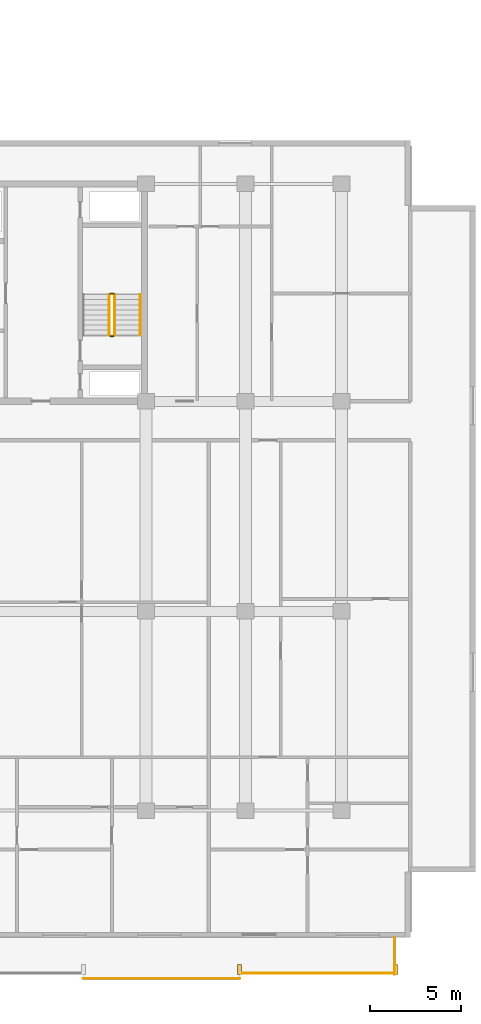
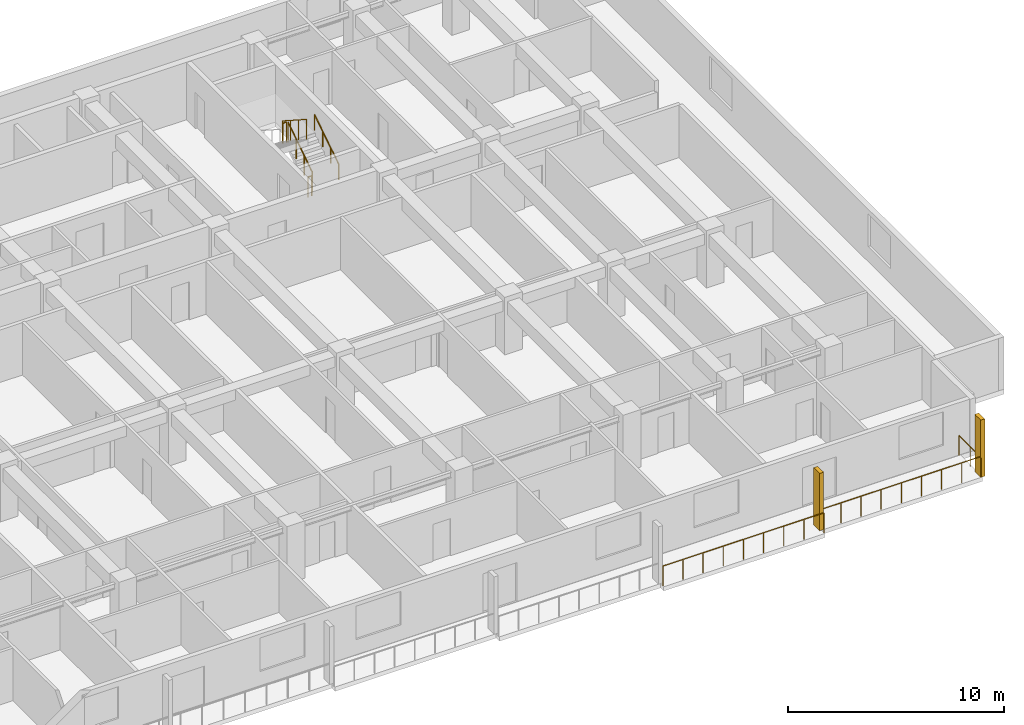
# One storey, part 21 of 23: 8 railings, 2 shading devices.
"""IFC4 building model written with IfcOpenShell, lengths in metres."""

from ifc_helpers import new_model, si_unit, direction, frame, origin, origin_2d, place, context, subcontext, project, spatial, rectangle, circle, extrude, material, type_object, element, save


model = new_model("IFC4")

# Units and contexts
model_context = context("Model", 3, precision=1e-05, world=origin(), true_north=direction((0.0, 1.0)))
body_context = subcontext(model_context, "Body", "Model", "MODEL_VIEW")
ifc_project = project(units=[si_unit("LENGTHUNIT", "METRE"), si_unit("AREAUNIT", "SQUARE_METRE"), si_unit("VOLUMEUNIT", "CUBIC_METRE"), si_unit("PLANEANGLEUNIT", "RADIAN"), si_unit("MASSUNIT", "GRAM", prefix="KILO")], contexts=[model_context])

# Site, building, storey
site_placement = place(None, origin())
site = spatial("IfcSite", under=ifc_project, at=site_placement, CompositionType="ELEMENT")
building_placement = place(site_placement, origin())
building = spatial("IfcBuilding", under=site, at=building_placement, Name="Korimba Cascade Residences", CompositionType="ELEMENT")
storey_placement = place(building_placement, frame((0.0, 0.0, 50.0)))
storey = spatial("IfcBuildingStorey", under=building, at=storey_placement, Name="L13", CompositionType="ELEMENT", Elevation=50.0)

# Railings
ifc_material_1 = material(Name="Laminated Glass and Bronze Balustrade", Category="glass")
railing_type_1 = type_object("IfcRailingType", Name="RLG-LOG-1150", PredefinedType="BALUSTRADE", material=ifc_material_1)
railing_1_placement = place(storey_placement, frame((114.642822265625, -13.469970703125, 0.0)))
element("IfcRailing", 1, at=railing_1_placement, inside=storey, type_object=railing_type_1, Name="L13 Perimeter Guardrail RLG-L13-T2-LOG-05", PredefinedType="BALUSTRADE", context=body_context, shape_type="SweptSolid", body=[
    extrude(circle(Radius=0.02392578125, at=origin_2d()), frame((0.0, 0.0, 1.1259765625), z_axis=(1.0, 0.0, 0.0), x_axis=(0.0, 1.0, 0.0)), (0.0, 0.0, 1.0), 8.628662109375),
    extrude(circle(Radius=0.02099609375, at=origin_2d()), origin(), (0.0, 0.0, 1.0), 1.101806640625),
    extrude(circle(Radius=0.02099609375, at=origin_2d()), frame((1.07861328125, 0.0, 0.0)), (0.0, 0.0, 1.0), 1.101806640625),
    extrude(circle(Radius=0.02099609375, at=origin_2d()), frame((2.1572265625, 0.0, 0.0)), (0.0, 0.0, 1.0), 1.101806640625),
    extrude(circle(Radius=0.02099609375, at=origin_2d()), frame((3.23583984375, 0.0, 0.0)), (0.0, 0.0, 1.0), 1.101806640625),
    extrude(circle(Radius=0.02099609375, at=origin_2d()), frame((4.314453125, 0.0, 0.0)), (0.0, 0.0, 1.0), 1.101806640625),
    extrude(circle(Radius=0.02099609375, at=origin_2d()), frame((5.392822265625, 0.0, 0.0)), (0.0, 0.0, 1.0), 1.101806640625),
    extrude(circle(Radius=0.02099609375, at=origin_2d()), frame((6.471435546875, 0.0, 0.0)), (0.0, 0.0, 1.0), 1.101806640625),
    extrude(circle(Radius=0.02099609375, at=origin_2d()), frame((7.550048828125, 0.0, 0.0)), (0.0, 0.0, 1.0), 1.101806640625),
    extrude(circle(Radius=0.02099609375, at=origin_2d()), frame((8.628662109375, 0.0, 0.0)), (0.0, 0.0, 1.0), 1.101806640625),
])
railing_2_placement = place(storey_placement, frame((123.271484375, -13.169921875, 0.0)))
element("IfcRailing", 2, at=railing_2_placement, inside=storey, type_object=railing_type_1, Name="L13 Perimeter Guardrail RLG-L13-T2-LOG-06", PredefinedType="BALUSTRADE", context=body_context, shape_type="SweptSolid", body=[
    extrude(circle(Radius=0.02392578125, at=origin_2d()), frame((0.0, 0.0, 1.1259765625), z_axis=(1.0, 0.0, 0.0), x_axis=(0.0, 1.0, 0.0)), (0.0, 0.0, 1.0), 8.62841796875),
    extrude(circle(Radius=0.02099609375, at=origin_2d()), origin(), (0.0, 0.0, 1.0), 1.101806640625),
    extrude(circle(Radius=0.02099609375, at=origin_2d()), frame((1.07861328125, 0.0, 0.0)), (0.0, 0.0, 1.0), 1.101806640625),
    extrude(circle(Radius=0.02099609375, at=origin_2d()), frame((2.1572265625, 0.0, 0.0)), (0.0, 0.0, 1.0), 1.101806640625),
    extrude(circle(Radius=0.02099609375, at=origin_2d()), frame((3.235595703125, 0.0, 0.0)), (0.0, 0.0, 1.0), 1.101806640625),
    extrude(circle(Radius=0.02099609375, at=origin_2d()), frame((4.314208984375, 0.0, 0.0)), (0.0, 0.0, 1.0), 1.101806640625),
    extrude(circle(Radius=0.02099609375, at=origin_2d()), frame((5.392822265625, 0.0, 0.0)), (0.0, 0.0, 1.0), 1.101806640625),
    extrude(circle(Radius=0.02099609375, at=origin_2d()), frame((6.47119140625, 0.0, 0.0)), (0.0, 0.0, 1.0), 1.101806640625),
    extrude(circle(Radius=0.02099609375, at=origin_2d()), frame((7.5498046875, 0.0, 0.0)), (0.0, 0.0, 1.0), 1.101806640625),
    extrude(circle(Radius=0.02099609375, at=origin_2d()), frame((8.62841796875, 0.0, 0.0)), (0.0, 0.0, 1.0), 1.101806640625),
])
railing_3_placement = place(storey_placement, frame((131.820068359375, -13.25, 0.0)))
element("IfcRailing", 3, at=railing_3_placement, inside=storey, type_object=railing_type_1, Name="L13 Perimeter Guardrail RLG-L13-T2-LOG-07", PredefinedType="BALUSTRADE", context=body_context, shape_type="SweptSolid", body=[
    extrude(circle(Radius=0.02392578125, at=origin_2d()), frame((0.0, 0.0, 1.1259765625), z_axis=(0.0, 1.0, 0.0), x_axis=(-1.0, 0.0, 0.0)), (0.0, 0.0, 1.0), 2.050048828125),
    extrude(circle(Radius=0.02099609375, at=origin_2d()), origin(), (0.0, 0.0, 1.0), 1.101806640625),
    extrude(circle(Radius=0.02099609375, at=origin_2d()), frame((0.0, 1.02490234375, 0.0)), (0.0, 0.0, 1.0), 1.101806640625),
    extrude(circle(Radius=0.02099609375, at=origin_2d()), frame((0.0, 2.050048828125, 0.0)), (0.0, 0.0, 1.0), 1.101806640625),
])
ifc_material_2 = material(Name="Painted Steel Stairwell Guardrail", Category="steel")
railing_type_2 = type_object("IfcRailingType", Name="RLG-ST-GD1150", PredefinedType="GUARDRAIL", material=ifc_material_2)
railing_4_placement = place(storey_placement, frame((116.3701171875, 22.050048828125, 0.1806640625)))
element("IfcRailing", 4, at=railing_4_placement, inside=storey, type_object=railing_type_2, Name="L13 ST-E2 stair guard 1", PredefinedType="GUARDRAIL", context=body_context, shape_type="SweptSolid", body=[
    extrude(circle(Radius=0.02392578125, at=origin_2d()), frame((0.0, 0.0, 1.1259765625), z_axis=(0.0, 0.840436612492, 0.541909863706), x_axis=(-1.0, 0.0, 0.0)), (0.0, 0.0, 1.0), 2.665283203125),
    extrude(circle(Radius=0.02099609375, at=origin_2d()), origin(), (0.0, 0.0, 1.0), 1.101806640625),
    extrude(circle(Radius=0.02099609375, at=origin_2d()), frame((0.0, 0.74658203125, 0.4814453125)), (0.0, 0.0, 1.0), 1.101806640625),
    extrude(circle(Radius=0.02099609375, at=origin_2d()), frame((0.0, 1.493408203125, 0.962890625)), (0.0, 0.0, 1.0), 1.101806640625),
    extrude(circle(Radius=0.02099609375, at=origin_2d()), frame((0.0, 2.239990234375, 1.4443359375)), (0.0, 0.0, 1.0), 1.101806640625),
])
railing_5_placement = place(storey_placement, frame((116.320068359375, 24.340087890625, 1.625)))
element("IfcRailing", 5, at=railing_5_placement, inside=storey, type_object=railing_type_2, Name="L13 ST-E2 stair guard 2", PredefinedType="GUARDRAIL", context=body_context, shape_type="SweptSolid", body=[
    extrude(circle(Radius=0.02392578125, at=origin_2d()), frame((0.0, 0.0, 1.1259765625), z_axis=(-1.0, 0.0, 0.0), x_axis=(0.0, -1.0, 0.0)), (0.0, 0.0, 1.0), 0.199951171875),
    extrude(circle(Radius=0.02099609375, at=origin_2d()), origin(), (0.0, 0.0, 1.0), 1.101806640625),
    extrude(circle(Radius=0.02099609375, at=origin_2d()), frame((-0.199951171875, 0.0, 0.0)), (0.0, 0.0, 1.0), 1.101806640625),
])
railing_6_placement = place(storey_placement, frame((116.070068359375, 24.2900390625, 1.8056640625)))
element("IfcRailing", 6, at=railing_6_placement, inside=storey, type_object=railing_type_2, Name="L13 ST-E2 stair guard 3", PredefinedType="GUARDRAIL", context=body_context, shape_type="SweptSolid", body=[
    extrude(circle(Radius=0.02392578125, at=origin_2d()), frame((0.0, 0.0, 1.1259765625), z_axis=(0.0, -0.840436612492, 0.541909863706), x_axis=(1.0, 0.0, 0.0)), (0.0, 0.0, 1.0), 2.665283203125),
    extrude(circle(Radius=0.02099609375, at=origin_2d()), origin(), (0.0, 0.0, 1.0), 1.101806640625),
    extrude(circle(Radius=0.02099609375, at=origin_2d()), frame((0.0, -0.74658203125, 0.4814453125)), (0.0, 0.0, 1.0), 1.101806640625),
    extrude(circle(Radius=0.02099609375, at=origin_2d()), frame((0.0, -1.493408203125, 0.962890625)), (0.0, 0.0, 1.0), 1.101806640625),
    extrude(circle(Radius=0.02099609375, at=origin_2d()), frame((0.0, -2.239990234375, 1.4443359375)), (0.0, 0.0, 1.0), 1.101806640625),
])
railing_7_placement = place(storey_placement, frame((116.320068359375, 22.0, 0.0)))
element("IfcRailing", 7, at=railing_7_placement, inside=storey, type_object=railing_type_2, Name="L13 ST-E2 stair guard 4", PredefinedType="GUARDRAIL", context=body_context, shape_type="SweptSolid", body=[
    extrude(circle(Radius=0.02392578125, at=origin_2d()), frame((0.0, 0.0, 1.1259765625), z_axis=(-1.0, 0.0, 0.0), x_axis=(0.0, -1.0, 0.0)), (0.0, 0.0, 1.0), 0.199951171875),
    extrude(circle(Radius=0.02099609375, at=origin_2d()), origin(), (0.0, 0.0, 1.0), 1.101806640625),
    extrude(circle(Radius=0.02099609375, at=origin_2d()), frame((-0.199951171875, 0.0, 0.0)), (0.0, 0.0, 1.0), 1.101806640625),
])
ifc_material_3 = material(Name="Brushed Stainless Steel Handrail", Category="steel")
railing_type_3 = type_object("IfcRailingType", Name="RLG-ST-HR900", PredefinedType="HANDRAIL", material=ifc_material_3)
railing_8_placement = place(storey_placement, frame((117.7900390625, 22.050048828125, 0.364990234375)))
element("IfcRailing", 8, at=railing_8_placement, inside=storey, type_object=railing_type_3, Name="L13 ST-E2 stair handrail 1", PredefinedType="HANDRAIL", context=body_context, shape_type="SweptSolid", body=[
    extrude(circle(Radius=0.02392578125, at=origin_2d()), frame((0.0, 0.0, 0.8759765625), z_axis=(0.0, 0.840436612492, 0.541909863706), x_axis=(-1.0, 0.0, 0.0)), (0.0, 0.0, 1.0), 2.665283203125),
    extrude(circle(Radius=0.02099609375, at=origin_2d()), origin(), (0.0, 0.0, 1.0), 0.851806640625),
    extrude(circle(Radius=0.02099609375, at=origin_2d()), frame((0.0, 0.74658203125, 0.4814453125)), (0.0, 0.0, 1.0), 0.851806640625),
    extrude(circle(Radius=0.02099609375, at=origin_2d()), frame((0.0, 1.493408203125, 0.962890625)), (0.0, 0.0, 1.0), 0.851806640625),
    extrude(circle(Radius=0.02099609375, at=origin_2d()), frame((0.0, 2.239990234375, 1.4443359375)), (0.0, 0.0, 1.0), 0.851806640625),
])

# Shading devices
ifc_material_4 = material(Name="Honed Sandstone Precast Fin", Category="masonry")
shading_device_type = type_object("IfcShadingDeviceType", Name="SHD-FIN-550", PredefinedType="USERDEFINED", material=ifc_material_4)
for number, where, z_axis, x_axis, name in (
    (9, (123.271484375, -12.97509765625, 0.0), (0.0, 0.0, 1.0), (1.0, 0.0, 0.0), "L13 T2 Warm-Stone Loggia Fin 7"),
    (10, (131.89990234375, -12.97509765625, 0.0), (0.0, 0.0, 1.0), (1.0, 0.0, 0.0), "L13 T2 Warm-Stone Loggia Fin 8"),
):
    element("IfcShadingDevice", number, at=place(storey_placement, frame(where, z_axis=z_axis, x_axis=x_axis)), inside=storey, type_object=shading_device_type, Name=name, ObjectType="FIN", PredefinedType="USERDEFINED", context=body_context, shape_type="SweptSolid", body=[
        extrude(rectangle(XDim=0.219970703125, YDim=0.550048828125, at=origin_2d()), origin(), (0.0, 0.0, 1.0), 3.25),
    ])

save(model, "model.ifc")
